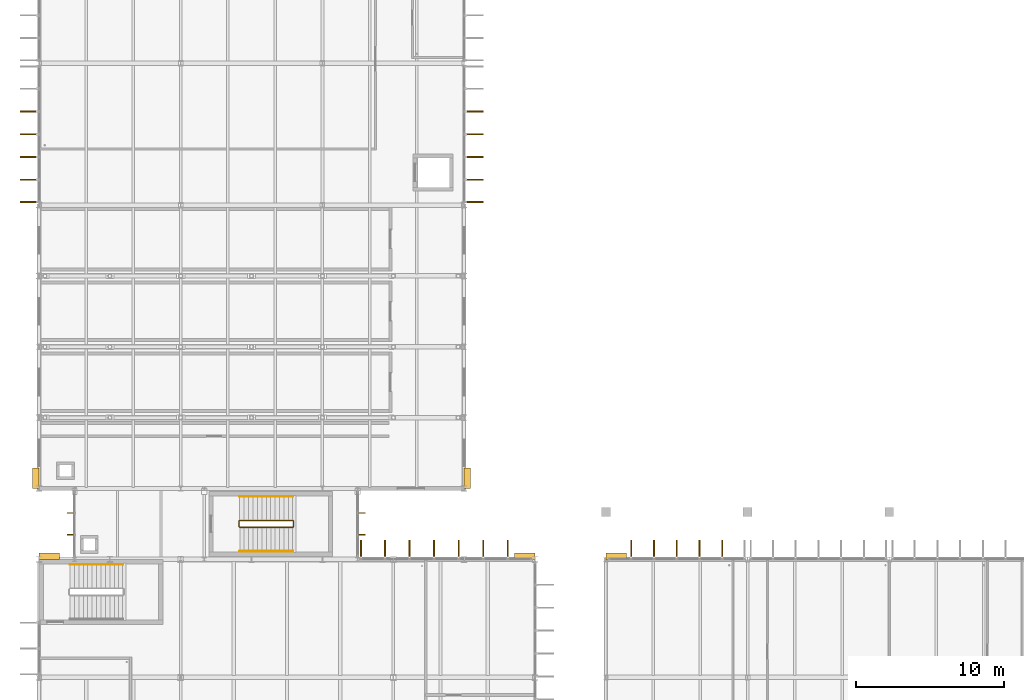
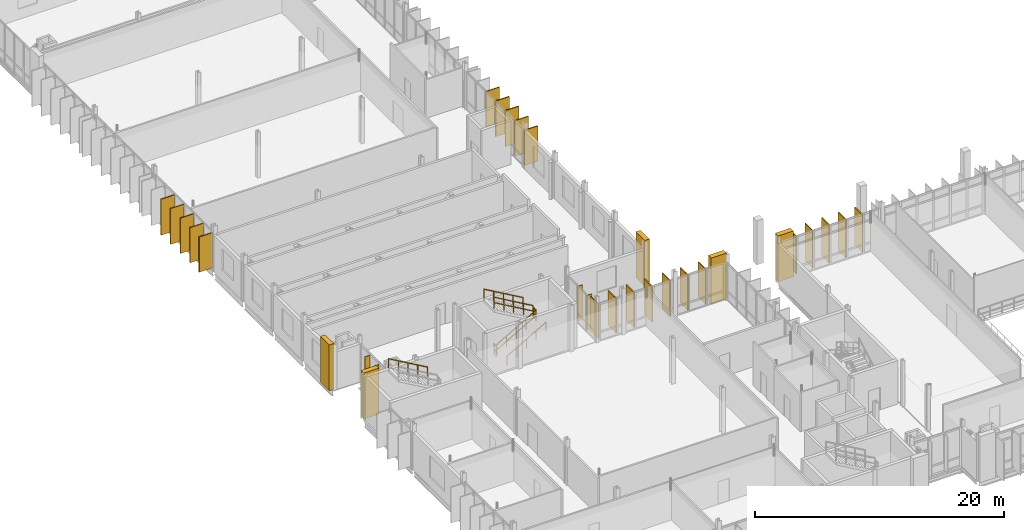
# One storey, part 103 of 110: 27 coverings, 7 railings, 4 shading devices.
"""IFC4 building model written with IfcOpenShell, lengths in metres."""

from ifc_helpers import new_model, si_unit, direction, frame, origin, origin_2d, place, context, subcontext, project, spatial, rectangle, circle, extrude, material, layer, layer_set, type_object, element, save


model = new_model("IFC4")

# Units and contexts
model_context = context("Model", 3, precision=1e-05, world=origin(), true_north=direction((0.0, 1.0)))
body_context = subcontext(model_context, "Body", "Model", "MODEL_VIEW")
ifc_project = project(units=[si_unit("LENGTHUNIT", "METRE"), si_unit("AREAUNIT", "SQUARE_METRE"), si_unit("VOLUMEUNIT", "CUBIC_METRE"), si_unit("PLANEANGLEUNIT", "RADIAN"), si_unit("MASSUNIT", "GRAM", prefix="KILO")], contexts=[model_context])

# Site, building, storey
site_placement = place(None, origin())
site = spatial("IfcSite", under=ifc_project, at=site_placement, CompositionType="ELEMENT")
building_placement = place(site_placement, origin())
building = spatial("IfcBuilding", under=site, at=building_placement, Name="Dunescarp Central Library", CompositionType="ELEMENT")
storey_placement = place(building_placement, frame((0.0, 0.0, 9.60009765625)))
storey = spatial("IfcBuildingStorey", under=building, at=storey_placement, Name="L02", CompositionType="ELEMENT", Elevation=9.60009765625)

# Coverings
ifc_material_1 = material(Name="Glass-fibre reinforced concrete GRC", Category="concrete")
ifc_layer_1 = layer(ifc_material_1, 0.090087890625)
ifc_layer_set_1 = layer_set([ifc_layer_1], Name="Glass-fibre reinforced concrete GRC")
covering_type_1 = type_object("IfcCoveringType", Name="ARC-COV-FIN1250", PredefinedType="CLADDING", material=ifc_layer_set_1)
covering_1_placement = place(storey_placement, frame((21.81494140625, 37.4619140625, 0.1669921875), z_axis=(0.0, 0.0, 1.0), x_axis=(0.0, 1.0, 0.0)))
element("IfcCovering", 1, at=covering_1_placement, inside=storey, type_object=covering_type_1, Name="L02 parametric vertical facade fin FIN-L02-0093", PredefinedType="CLADDING", context=body_context, shape_type="SweptSolid", body=[
    extrude(rectangle(XDim=1.25, YDim=0.090087890625, at=origin_2d()), origin(), (0.0, 0.0, 1.0), 3.43798828125),
])
covering_2_placement = place(storey_placement, frame((23.43896484375, 37.4619140625, 0.17919921875), z_axis=(0.0, 0.0, 1.0), x_axis=(0.0, 1.0, 0.0)))
element("IfcCovering", 2, at=covering_2_placement, inside=storey, type_object=covering_type_1, Name="L02 parametric vertical facade fin FIN-L02-0094", PredefinedType="CLADDING", context=body_context, shape_type="SweptSolid", body=[
    extrude(rectangle(XDim=1.25, YDim=0.090087890625, at=origin_2d()), origin(), (0.0, 0.0, 1.0), 3.425048828125),
])
covering_3_placement = place(storey_placement, frame((25.10400390625, 37.4619140625, 0.16455078125), z_axis=(0.0, 0.0, 1.0), x_axis=(0.0, 1.0, 0.0)))
element("IfcCovering", 3, at=covering_3_placement, inside=storey, type_object=covering_type_1, Name="L02 parametric vertical facade fin FIN-L02-0095", PredefinedType="CLADDING", context=body_context, shape_type="SweptSolid", body=[
    extrude(rectangle(XDim=1.25, YDim=0.090087890625, at=origin_2d()), origin(), (0.0, 0.0, 1.0), 3.44091796875),
])
covering_4_placement = place(storey_placement, frame((26.76806640625, 37.4619140625, 0.123046875), z_axis=(0.0, 0.0, 1.0), x_axis=(0.0, 1.0, 0.0)))
element("IfcCovering", 4, at=covering_4_placement, inside=storey, type_object=covering_type_1, Name="L02 parametric vertical facade fin FIN-L02-0096", PredefinedType="CLADDING", context=body_context, shape_type="SweptSolid", body=[
    extrude(rectangle(XDim=1.25, YDim=0.090087890625, at=origin_2d()), origin(), (0.0, 0.0, 1.0), 3.48193359375),
])
covering_5_placement = place(storey_placement, frame((28.431884765625, 37.4619140625, 0.080078125), z_axis=(0.0, 0.0, 1.0), x_axis=(0.0, 1.0, 0.0)))
element("IfcCovering", 5, at=covering_5_placement, inside=storey, type_object=covering_type_1, Name="L02 parametric vertical facade fin FIN-L02-0097", PredefinedType="CLADDING", context=body_context, shape_type="SweptSolid", body=[
    extrude(rectangle(XDim=1.25, YDim=0.090087890625, at=origin_2d()), origin(), (0.0, 0.0, 1.0), 3.513916015625),
])
covering_6_placement = place(storey_placement, frame((30.095947265625, 37.4619140625, 0.080078125), z_axis=(0.0, 0.0, 1.0), x_axis=(0.0, 1.0, 0.0)))
element("IfcCovering", 6, at=covering_6_placement, inside=storey, type_object=covering_type_1, Name="L02 parametric vertical facade fin FIN-L02-0098", PredefinedType="CLADDING", context=body_context, shape_type="SweptSolid", body=[
    extrude(rectangle(XDim=1.25, YDim=0.090087890625, at=origin_2d()), origin(), (0.0, 0.0, 1.0), 3.464111328125),
])
covering_7_placement = place(storey_placement, frame((31.760986328125, 37.4619140625, 0.08056640625), z_axis=(0.0, 0.0, 1.0), x_axis=(0.0, 1.0, 0.0)))
element("IfcCovering", 7, at=covering_7_placement, inside=storey, type_object=covering_type_1, Name="L02 parametric vertical facade fin FIN-L02-0099", PredefinedType="CLADDING", context=body_context, shape_type="SweptSolid", body=[
    extrude(rectangle(XDim=1.25, YDim=0.090087890625, at=origin_2d()), origin(), (0.0, 0.0, 1.0), 3.430908203125),
])
covering_8_placement = place(storey_placement, frame((40.116943359375, 37.4619140625, 0.180419921875), z_axis=(0.0, 0.0, 1.0), x_axis=(0.0, 1.0, 0.0)))
element("IfcCovering", 8, at=covering_8_placement, inside=storey, type_object=covering_type_1, Name="L02 parametric vertical facade fin FIN-L02-0398", PredefinedType="CLADDING", context=body_context, shape_type="SweptSolid", body=[
    extrude(rectangle(XDim=1.25, YDim=0.090087890625, at=origin_2d()), origin(), (0.0, 0.0, 1.0), 3.6650390625),
])
covering_9_placement = place(storey_placement, frame((41.657958984375, 37.4619140625, 0.16357421875), z_axis=(0.0, 0.0, 1.0), x_axis=(0.0, 1.0, 0.0)))
element("IfcCovering", 9, at=covering_9_placement, inside=storey, type_object=covering_type_1, Name="L02 parametric vertical facade fin FIN-L02-0399", PredefinedType="CLADDING", context=body_context, shape_type="SweptSolid", body=[
    extrude(rectangle(XDim=1.25, YDim=0.090087890625, at=origin_2d()), origin(), (0.0, 0.0, 1.0), 3.680908203125),
])
covering_10_placement = place(storey_placement, frame((43.199951171875, 37.4619140625, 0.123046875), z_axis=(0.0, 0.0, 1.0), x_axis=(0.0, 1.0, 0.0)))
element("IfcCovering", 10, at=covering_10_placement, inside=storey, type_object=covering_type_1, Name="L02 parametric vertical facade fin FIN-L02-0400", PredefinedType="CLADDING", context=body_context, shape_type="SweptSolid", body=[
    extrude(rectangle(XDim=1.25, YDim=0.090087890625, at=origin_2d()), origin(), (0.0, 0.0, 1.0), 3.721923828125),
])
covering_11_placement = place(storey_placement, frame((44.741943359375, 37.4619140625, 0.079833984375), z_axis=(0.0, 0.0, 1.0), x_axis=(0.0, 1.0, 0.0)))
element("IfcCovering", 11, at=covering_11_placement, inside=storey, type_object=covering_type_1, Name="L02 parametric vertical facade fin FIN-L02-0401", PredefinedType="CLADDING", context=body_context, shape_type="SweptSolid", body=[
    extrude(rectangle(XDim=1.25, YDim=0.090087890625, at=origin_2d()), origin(), (0.0, 0.0, 1.0), 3.75390625),
])
covering_12_placement = place(storey_placement, frame((46.282958984375, 37.4619140625, 0.079833984375), z_axis=(0.0, 0.0, 1.0), x_axis=(0.0, 1.0, 0.0)))
element("IfcCovering", 12, at=covering_12_placement, inside=storey, type_object=covering_type_1, Name="L02 parametric vertical facade fin FIN-L02-0402", PredefinedType="CLADDING", context=body_context, shape_type="SweptSolid", body=[
    extrude(rectangle(XDim=1.25, YDim=0.090087890625, at=origin_2d()), origin(), (0.0, 0.0, 1.0), 3.7041015625),
])
covering_13_placement = place(storey_placement, frame((-0.662109375, 61.014892578125, 0.166259765625), z_axis=(0.0, 0.0, 1.0), x_axis=(-1.0, 0.0, 0.0)))
element("IfcCovering", 13, at=covering_13_placement, inside=storey, type_object=covering_type_1, Name="L02 parametric vertical facade fin FIN-L02-0823", PredefinedType="CLADDING", context=body_context, shape_type="SweptSolid", body=[
    extrude(rectangle(XDim=1.25, YDim=0.090087890625, at=origin_2d()), origin(), (0.0, 0.0, 1.0), 3.455078125),
])
covering_14_placement = place(storey_placement, frame((-0.662109375, 62.51708984375, 0.179931640625), z_axis=(0.0, 0.0, 1.0), x_axis=(-1.0, 0.0, 0.0)))
element("IfcCovering", 14, at=covering_14_placement, inside=storey, type_object=covering_type_1, Name="L02 parametric vertical facade fin FIN-L02-0824", PredefinedType="CLADDING", context=body_context, shape_type="SweptSolid", body=[
    extrude(rectangle(XDim=1.25, YDim=0.090087890625, at=origin_2d()), origin(), (0.0, 0.0, 1.0), 3.44189453125),
])
covering_15_placement = place(storey_placement, frame((-0.662109375, 64.05810546875, 0.163818359375), z_axis=(0.0, 0.0, 1.0), x_axis=(-1.0, 0.0, 0.0)))
element("IfcCovering", 15, at=covering_15_placement, inside=storey, type_object=covering_type_1, Name="L02 parametric vertical facade fin FIN-L02-0825", PredefinedType="CLADDING", context=body_context, shape_type="SweptSolid", body=[
    extrude(rectangle(XDim=1.25, YDim=0.090087890625, at=origin_2d()), origin(), (0.0, 0.0, 1.0), 3.4580078125),
])
covering_16_placement = place(storey_placement, frame((-0.662109375, 65.60009765625, 0.123291015625), z_axis=(0.0, 0.0, 1.0), x_axis=(-1.0, 0.0, 0.0)))
element("IfcCovering", 16, at=covering_16_placement, inside=storey, type_object=covering_type_1, Name="L02 parametric vertical facade fin FIN-L02-0826", PredefinedType="CLADDING", context=body_context, shape_type="SweptSolid", body=[
    extrude(rectangle(XDim=1.25, YDim=0.090087890625, at=origin_2d()), origin(), (0.0, 0.0, 1.0), 3.4990234375),
])
covering_17_placement = place(storey_placement, frame((-0.662109375, 67.14208984375, 0.07958984375), z_axis=(0.0, 0.0, 1.0), x_axis=(-1.0, 0.0, 0.0)))
element("IfcCovering", 17, at=covering_17_placement, inside=storey, type_object=covering_type_1, Name="L02 parametric vertical facade fin FIN-L02-0827", PredefinedType="CLADDING", context=body_context, shape_type="SweptSolid", body=[
    extrude(rectangle(XDim=1.25, YDim=0.090087890625, at=origin_2d()), origin(), (0.0, 0.0, 1.0), 3.531005859375),
])
covering_18_placement = place(storey_placement, frame((29.4619140625, 67.14208984375, 0.163818359375), z_axis=(0.0, 0.0, 1.0), x_axis=(1.0, 0.0, 0.0)))
element("IfcCovering", 18, at=covering_18_placement, inside=storey, type_object=covering_type_1, Name="L02 parametric vertical facade fin FIN-L02-0832", PredefinedType="CLADDING", context=body_context, shape_type="SweptSolid", body=[
    extrude(rectangle(XDim=1.25, YDim=0.090087890625, at=origin_2d()), origin(), (0.0, 0.0, 1.0), 3.4580078125),
])
covering_19_placement = place(storey_placement, frame((29.4619140625, 65.60009765625, 0.123291015625), z_axis=(0.0, 0.0, 1.0), x_axis=(1.0, 0.0, 0.0)))
element("IfcCovering", 19, at=covering_19_placement, inside=storey, type_object=covering_type_1, Name="L02 parametric vertical facade fin FIN-L02-0833", PredefinedType="CLADDING", context=body_context, shape_type="SweptSolid", body=[
    extrude(rectangle(XDim=1.25, YDim=0.090087890625, at=origin_2d()), origin(), (0.0, 0.0, 1.0), 3.4990234375),
])
covering_20_placement = place(storey_placement, frame((29.4619140625, 64.05810546875, 0.07958984375), z_axis=(0.0, 0.0, 1.0), x_axis=(1.0, 0.0, 0.0)))
element("IfcCovering", 20, at=covering_20_placement, inside=storey, type_object=covering_type_1, Name="L02 parametric vertical facade fin FIN-L02-0834", PredefinedType="CLADDING", context=body_context, shape_type="SweptSolid", body=[
    extrude(rectangle(XDim=1.25, YDim=0.090087890625, at=origin_2d()), origin(), (0.0, 0.0, 1.0), 3.531005859375),
])
covering_21_placement = place(storey_placement, frame((29.4619140625, 62.51708984375, 0.080322265625), z_axis=(0.0, 0.0, 1.0), x_axis=(1.0, 0.0, 0.0)))
element("IfcCovering", 21, at=covering_21_placement, inside=storey, type_object=covering_type_1, Name="L02 parametric vertical facade fin FIN-L02-0835", PredefinedType="CLADDING", context=body_context, shape_type="SweptSolid", body=[
    extrude(rectangle(XDim=1.25, YDim=0.090087890625, at=origin_2d()), origin(), (0.0, 0.0, 1.0), 3.48095703125),
])
covering_22_placement = place(storey_placement, frame((29.4619140625, 61.014892578125, 0.080078125), z_axis=(0.0, 0.0, 1.0), x_axis=(1.0, 0.0, 0.0)))
element("IfcCovering", 22, at=covering_22_placement, inside=storey, type_object=covering_type_1, Name="L02 parametric vertical facade fin FIN-L02-0836", PredefinedType="CLADDING", context=body_context, shape_type="SweptSolid", body=[
    extrude(rectangle(XDim=1.25, YDim=0.090087890625, at=origin_2d()), origin(), (0.0, 0.0, 1.0), 3.447998046875),
])
ifc_layer_2 = layer(ifc_material_1, 0.449951171875)
ifc_layer_set_2 = layer_set([ifc_layer_2], Name="Glass-fibre reinforced concrete GRC")
covering_type_2 = type_object("IfcCoveringType", Name="ARC-COV-PORTAL", PredefinedType="CLADDING", material=ifc_layer_set_2)
covering_23_placement = place(storey_placement, frame((39.10009765625, 37.02001953125, 0.0), z_axis=(0.0, 0.0, 1.0), x_axis=(1.0, 0.0, 0.0)))
element("IfcCovering", 23, at=covering_23_placement, inside=storey, type_object=covering_type_2, Name="V2 sculpted GRC portal pier PRT-BAND-V2-010", PredefinedType="CLADDING", context=body_context, shape_type="SweptSolid", body=[
    extrude(rectangle(XDim=1.39990234375, YDim=0.449951171875, at=origin_2d()), origin(), (0.0, 0.0, 1.0), 4.5),
])
for number, where, z_axis, x_axis, name in (
    (24, (-0.219970703125, 42.300048828125, 0.0), (0.0, 0.0, 1.0), (1.0, 0.0, 0.0), "V4 sculpted GRC portal pier PRT-BAND-V4-071"),
    (25, (29.02001953125, 42.300048828125, 0.0), (0.0, 0.0, 1.0), (1.0, 0.0, 0.0), "V4 sculpted GRC portal pier PRT-BAND-V4-072"),
):
    element("IfcCovering", number, at=place(storey_placement, frame(where, z_axis=z_axis, x_axis=x_axis)), inside=storey, type_object=covering_type_2, Name=name, PredefinedType="CLADDING", context=body_context, shape_type="SweptSolid", body=[
        extrude(rectangle(XDim=0.449951171875, YDim=1.39990234375, at=origin_2d()), origin(), (0.0, 0.0, 1.0), 4.5),
    ])
for number, where, z_axis, x_axis, name in (
    (26, (0.699951171875, 37.02001953125, 0.0), (0.0, 0.0, 1.0), (1.0, 0.0, 0.0), "V1 sculpted GRC portal pier PRT-BAND-V1-090"),
    (27, (32.89990234375, 37.02001953125, 0.0), (0.0, 0.0, 1.0), (1.0, 0.0, 0.0), "V1 sculpted GRC portal pier PRT-BAND-V1-092"),
):
    element("IfcCovering", number, at=place(storey_placement, frame(where, z_axis=z_axis, x_axis=x_axis)), inside=storey, type_object=covering_type_2, Name=name, PredefinedType="CLADDING", context=body_context, shape_type="SweptSolid", body=[
        extrude(rectangle(XDim=1.39990234375, YDim=0.449951171875, at=origin_2d()), origin(), (0.0, 0.0, 1.0), 4.5),
    ])

# Railings
ifc_material_2 = material(Name="Stainless steel Grade 316L", Category="steel")
railing_type_1 = type_object("IfcRailingType", Name="ARC-RL-GUARD", PredefinedType="GUARDRAIL", material=ifc_material_2)
railing_1_placement = place(storey_placement, frame((13.60009765625, 38.969970703125, 0.173095703125)))
element("IfcRailing", 28, at=railing_1_placement, inside=storey, type_object=railing_type_1, Name="L02 ST-4 stair guard 1", PredefinedType="GUARDRAIL", context=body_context, shape_type="SweptSolid", body=[
    extrude(circle(Radius=0.02392578125, at=origin_2d()), frame((0.0, 0.0, 1.076171875), z_axis=(0.866178740119, 0.0, 0.499734319579), x_axis=(0.0, 1.0, 0.0)), (0.0, 0.0, 1.0), 4.156005859375),
    extrude(circle(Radius=0.02392578125, at=origin_2d()), frame((0.0, 0.0, 0.550048828125), z_axis=(0.866178740119, 0.0, 0.499734319579), x_axis=(0.0, 1.0, 0.0)), (0.0, 0.0, 1.0), 4.156005859375),
    extrude(circle(Radius=0.02099609375, at=origin_2d()), origin(), (0.0, 0.0, 1.0), 1.052001953125),
    extrude(circle(Radius=0.02099609375, at=origin_2d()), frame((0.89990234375, 0.0, 0.519287109375)), (0.0, 0.0, 1.0), 1.052001953125),
    extrude(circle(Radius=0.02099609375, at=origin_2d()), frame((1.7998046875, 0.0, 1.03857421875)), (0.0, 0.0, 1.0), 1.052001953125),
    extrude(circle(Radius=0.02099609375, at=origin_2d()), frame((2.699951171875, 0.0, 1.5576171875)), (0.0, 0.0, 1.0), 1.052001953125),
    extrude(circle(Radius=0.02099609375, at=origin_2d()), frame((3.599853515625, 0.0, 2.076904296875)), (0.0, 0.0, 1.0), 1.052001953125),
])
railing_2_placement = place(storey_placement, frame((17.25, 39.02001953125, 2.25)))
element("IfcRailing", 29, at=railing_2_placement, inside=storey, type_object=railing_type_1, Name="L02 ST-4 stair guard 2", PredefinedType="GUARDRAIL", context=body_context, shape_type="SweptSolid", body=[
    extrude(circle(Radius=0.02392578125, at=origin_2d()), frame((0.0, 0.0, 1.076171875), z_axis=(0.0, 1.0, 0.0), x_axis=(-1.0, 0.0, 0.0)), (0.0, 0.0, 1.0), 0.35986328125),
    extrude(circle(Radius=0.02392578125, at=origin_2d()), frame((0.0, 0.0, 0.550048828125), z_axis=(0.0, 1.0, 0.0), x_axis=(-1.0, 0.0, 0.0)), (0.0, 0.0, 1.0), 0.35986328125),
    extrude(circle(Radius=0.02099609375, at=origin_2d()), origin(), (0.0, 0.0, 1.0), 1.052001953125),
    extrude(circle(Radius=0.02099609375, at=origin_2d()), frame((0.0, 0.35986328125, 0.0)), (0.0, 0.0, 1.0), 1.052001953125),
])
railing_3_placement = place(storey_placement, frame((17.199951171875, 39.429931640625, 2.423095703125)))
element("IfcRailing", 30, at=railing_3_placement, inside=storey, type_object=railing_type_1, Name="L02 ST-4 stair guard 3", PredefinedType="GUARDRAIL", context=body_context, shape_type="SweptSolid", body=[
    extrude(circle(Radius=0.02392578125, at=origin_2d()), frame((0.0, 0.0, 1.076171875), z_axis=(-0.866178740119, 0.0, 0.499734319579), x_axis=(0.0, -1.0, 0.0)), (0.0, 0.0, 1.0), 4.156005859375),
    extrude(circle(Radius=0.02392578125, at=origin_2d()), frame((0.0, 0.0, 0.550048828125), z_axis=(-0.866178740119, 0.0, 0.499734319579), x_axis=(0.0, -1.0, 0.0)), (0.0, 0.0, 1.0), 4.156005859375),
    extrude(circle(Radius=0.02099609375, at=origin_2d()), origin(), (0.0, 0.0, 1.0), 1.052001953125),
    extrude(circle(Radius=0.02099609375, at=origin_2d()), frame((-0.89990234375, 0.0, 0.519287109375)), (0.0, 0.0, 1.0), 1.052001953125),
    extrude(circle(Radius=0.02099609375, at=origin_2d()), frame((-1.7998046875, 0.0, 1.03857421875)), (0.0, 0.0, 1.0), 1.052001953125),
    extrude(circle(Radius=0.02099609375, at=origin_2d()), frame((-2.699951171875, 0.0, 1.5576171875)), (0.0, 0.0, 1.0), 1.052001953125),
    extrude(circle(Radius=0.02099609375, at=origin_2d()), frame((-3.599853515625, 0.0, 2.076904296875)), (0.0, 0.0, 1.0), 1.052001953125),
])
railing_4_placement = place(storey_placement, frame((13.550048828125, 39.02001953125, 0.0)))
element("IfcRailing", 31, at=railing_4_placement, inside=storey, type_object=railing_type_1, Name="L02 ST-4 stair guard 4", PredefinedType="GUARDRAIL", context=body_context, shape_type="SweptSolid", body=[
    extrude(circle(Radius=0.02392578125, at=origin_2d()), frame((0.0, 0.0, 1.076171875), z_axis=(0.0, 1.0, 0.0), x_axis=(-1.0, 0.0, 0.0)), (0.0, 0.0, 1.0), 0.35986328125),
    extrude(circle(Radius=0.02392578125, at=origin_2d()), frame((0.0, 0.0, 0.550048828125), z_axis=(0.0, 1.0, 0.0), x_axis=(-1.0, 0.0, 0.0)), (0.0, 0.0, 1.0), 0.35986328125),
    extrude(circle(Radius=0.02099609375, at=origin_2d()), origin(), (0.0, 0.0, 1.0), 1.052001953125),
    extrude(circle(Radius=0.02099609375, at=origin_2d()), frame((0.0, 0.35986328125, 0.0)), (0.0, 0.0, 1.0), 1.052001953125),
])
railing_type_2 = type_object("IfcRailingType", Name="ARC-RL-HAND", PredefinedType="HANDRAIL", material=ifc_material_2)
railing_5_placement = place(storey_placement, frame((5.699951171875, 36.449951171875, 2.423095703125)))
element("IfcRailing", 32, at=railing_5_placement, inside=storey, type_object=railing_type_2, Name="L02 ST-6 stair handrail 2", PredefinedType="HANDRAIL", context=body_context, shape_type="SweptSolid", body=[
    extrude(circle(Radius=0.02392578125, at=origin_2d()), frame((0.0, 0.0, 0.8857421875), z_axis=(-0.866178740119, 0.0, 0.499734319579), x_axis=(0.0, -1.0, 0.0)), (0.0, 0.0, 1.0), 4.156005859375),
    extrude(circle(Radius=0.02099609375, at=origin_2d()), origin(), (0.0, 0.0, 1.0), 0.86181640625),
    extrude(circle(Radius=0.02099609375, at=origin_2d()), frame((-0.89990234375, 0.0, 0.519287109375)), (0.0, 0.0, 1.0), 0.86181640625),
    extrude(circle(Radius=0.02099609375, at=origin_2d()), frame((-1.7998046875, 0.0, 1.03857421875)), (0.0, 0.0, 1.0), 0.86181640625),
    extrude(circle(Radius=0.02099609375, at=origin_2d()), frame((-2.699951171875, 0.0, 1.5576171875)), (0.0, 0.0, 1.0), 0.86181640625),
    extrude(circle(Radius=0.02099609375, at=origin_2d()), frame((-3.599853515625, 0.0, 2.076904296875)), (0.0, 0.0, 1.0), 0.86181640625),
])
railing_6_placement = place(storey_placement, frame((13.60009765625, 37.35009765625, 0.173095703125)))
element("IfcRailing", 33, at=railing_6_placement, inside=storey, type_object=railing_type_2, Name="L02 ST-4 stair handrail 1", PredefinedType="HANDRAIL", context=body_context, shape_type="SweptSolid", body=[
    extrude(circle(Radius=0.02392578125, at=origin_2d()), frame((0.0, 0.0, 0.8857421875), z_axis=(0.866178740119, 0.0, 0.499734319579), x_axis=(0.0, 1.0, 0.0)), (0.0, 0.0, 1.0), 4.156005859375),
    extrude(circle(Radius=0.02099609375, at=origin_2d()), origin(), (0.0, 0.0, 1.0), 0.86181640625),
    extrude(circle(Radius=0.02099609375, at=origin_2d()), frame((0.89990234375, 0.0, 0.519287109375)), (0.0, 0.0, 1.0), 0.86181640625),
    extrude(circle(Radius=0.02099609375, at=origin_2d()), frame((1.7998046875, 0.0, 1.03857421875)), (0.0, 0.0, 1.0), 0.86181640625),
    extrude(circle(Radius=0.02099609375, at=origin_2d()), frame((2.699951171875, 0.0, 1.5576171875)), (0.0, 0.0, 1.0), 0.86181640625),
    extrude(circle(Radius=0.02099609375, at=origin_2d()), frame((3.599853515625, 0.0, 2.076904296875)), (0.0, 0.0, 1.0), 0.86181640625),
])
railing_7_placement = place(storey_placement, frame((17.199951171875, 41.050048828125, 2.423095703125)))
element("IfcRailing", 34, at=railing_7_placement, inside=storey, type_object=railing_type_2, Name="L02 ST-4 stair handrail 2", PredefinedType="HANDRAIL", context=body_context, shape_type="SweptSolid", body=[
    extrude(circle(Radius=0.02392578125, at=origin_2d()), frame((0.0, 0.0, 0.8857421875), z_axis=(-0.866178740119, 0.0, 0.499734319579), x_axis=(0.0, -1.0, 0.0)), (0.0, 0.0, 1.0), 4.156005859375),
    extrude(circle(Radius=0.02099609375, at=origin_2d()), origin(), (0.0, 0.0, 1.0), 0.86181640625),
    extrude(circle(Radius=0.02099609375, at=origin_2d()), frame((-0.89990234375, 0.0, 0.519287109375)), (0.0, 0.0, 1.0), 0.86181640625),
    extrude(circle(Radius=0.02099609375, at=origin_2d()), frame((-1.7998046875, 0.0, 1.03857421875)), (0.0, 0.0, 1.0), 0.86181640625),
    extrude(circle(Radius=0.02099609375, at=origin_2d()), frame((-2.699951171875, 0.0, 1.5576171875)), (0.0, 0.0, 1.0), 0.86181640625),
    extrude(circle(Radius=0.02099609375, at=origin_2d()), frame((-3.599853515625, 0.0, 2.076904296875)), (0.0, 0.0, 1.0), 0.86181640625),
])

# Shading devices
ifc_material_3 = material(Name="Marine-grade anodised aluminium 6063-T6", Category="aluminium")
ifc_layer_3 = layer(ifc_material_3, 0.06005859375)
ifc_layer_set_3 = layer_set([ifc_layer_3], Name="Marine-grade anodised aluminium 6063-T6")
shading_device_type = type_object("IfcShadingDeviceType", Name="ARC-SHD-FIN", PredefinedType="USERDEFINED", material=ifc_layer_set_3)
for number, where, z_axis, x_axis, name in (
    (35, (2.138916015625, 38.4580078125, 0.1494140625), (0.0, 0.0, 1.0), (-1.0, 0.0, 0.0), "L02 link sunshade fin SHDF-L02-1122"),
    (36, (2.138916015625, 39.94189453125, 0.1494140625), (0.0, 0.0, 1.0), (-1.0, 0.0, 0.0), "L02 link sunshade fin SHDF-L02-1123"),
    (37, (21.861083984375, 39.94189453125, 0.1494140625), (0.0, 0.0, 1.0), (1.0, 0.0, 0.0), "L02 link sunshade fin SHDF-L02-1124"),
    (38, (21.861083984375, 38.4580078125, 0.1494140625), (0.0, 0.0, 1.0), (1.0, 0.0, 0.0), "L02 link sunshade fin SHDF-L02-1125"),
):
    element("IfcShadingDevice", number, at=place(storey_placement, frame(where, z_axis=z_axis, x_axis=x_axis)), inside=storey, type_object=shading_device_type, Name=name, ObjectType="FIN", PredefinedType="USERDEFINED", context=body_context, shape_type="SweptSolid", body=[
        extrude(rectangle(XDim=0.449951171875, YDim=0.06005859375, at=origin_2d()), origin(), (0.0, 0.0, 1.0), 3.385009765625),
    ])

save(model, "model.ifc")
